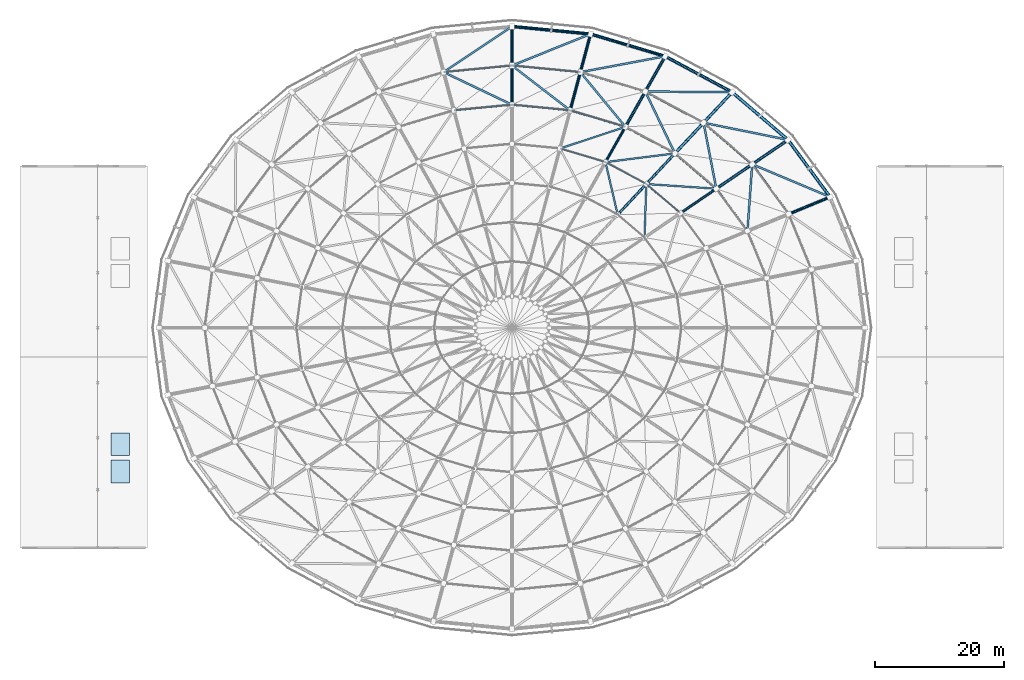
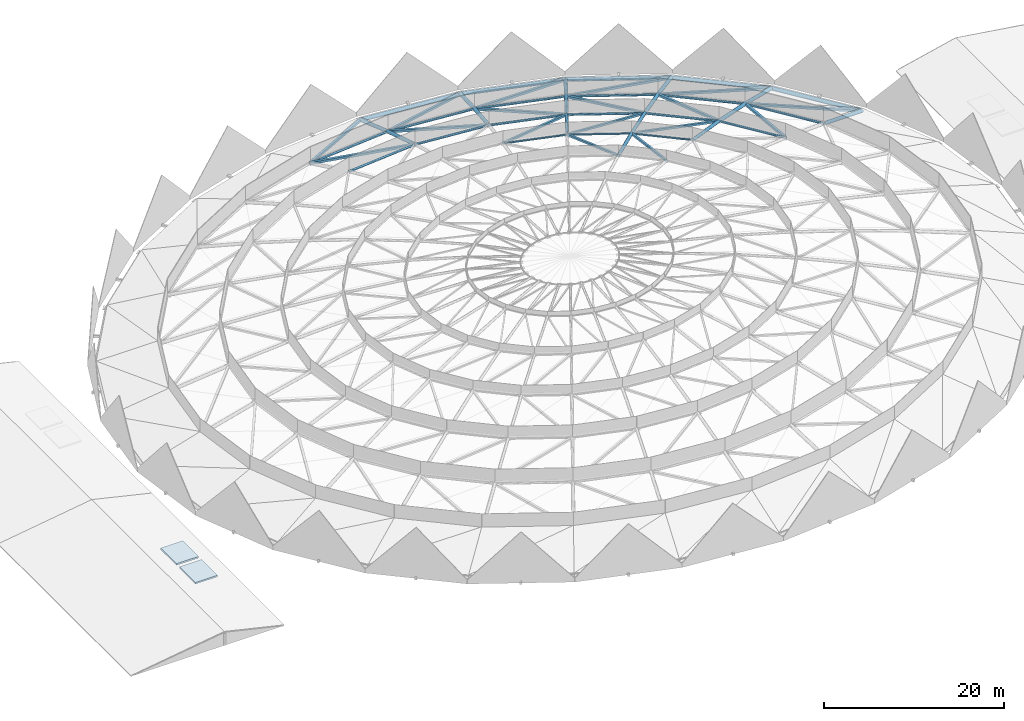
# One storey, part 15 of 27: 47 members, 5 beams, 2 slabs.
"""IFC4 building model written with IfcOpenShell, lengths in metres."""

from ifc_helpers import new_model, si_unit, direction, frame, origin, origin_2d, place, context, subcontext, project, spatial, polyline, hollow_rectangle, hollow_circle, outline, extrude, material, layer, layer_set, material_profile, profile_set, type_object, element, save


model = new_model("IFC4")

# Units and contexts
model_context = context("Model", 3, precision=1e-05, world=origin(), true_north=direction((0.0, 1.0)))
body_context = subcontext(model_context, "Body", "Model", "MODEL_VIEW")
ifc_project = project(units=[si_unit("LENGTHUNIT", "METRE"), si_unit("AREAUNIT", "SQUARE_METRE"), si_unit("VOLUMEUNIT", "CUBIC_METRE"), si_unit("PLANEANGLEUNIT", "RADIAN"), si_unit("MASSUNIT", "GRAM", prefix="KILO")], contexts=[model_context])

# Site, building, storey
site_placement = place(None, origin())
site = spatial("IfcSite", under=ifc_project, at=site_placement, CompositionType="ELEMENT")
building_placement = place(site_placement, origin())
building = spatial("IfcBuilding", under=site, at=building_placement, Name="Cuetzalor Civic Arena", CompositionType="ELEMENT")
storey_placement = place(building_placement, frame((0.0, 0.0, 31.800048828125)))
storey = spatial("IfcBuildingStorey", under=building, at=storey_placement, Name="Roof", CompositionType="ELEMENT", Elevation=31.800048828125)

# Members
ifc_material_1 = material(Name="Steel S355J2H", Category="steel")
ifc_material_profile_1 = material_profile(ifc_material_1, hollow_circle(Radius=0.136474609375, WallThickness=0.010009765625, at=origin_2d()), Name="CHS 273x10")
ifc_profile_set_1 = profile_set([ifc_material_profile_1], Name="Steel S355J2H")
member_type_1 = type_object("IfcMemberType", Name="DomeAnnularChord_CHS273", PredefinedType="CHORD", material=ifc_profile_set_1)
member_1_placement = place(storey_placement, frame((26.014404296875, 17.70556640625, 5.66650390625), z_axis=(-0.760693610766, 0.649111108009, 0.0), x_axis=(-0.649111108009, -0.760693610766, 0.0)))
element("IfcMember", 1, at=member_1_placement, inside=storey, type_object=member_type_1, Name="Dome Roof Truss Annular Ring Chord R3-S04", PredefinedType="CHORD", context=body_context, shape_type="SweptSolid", body=[
    extrude(hollow_circle(Radius=0.136474609375, WallThickness=0.010009765625, at=origin_2d()), origin(), (0.0, 0.0, 1.0), 6.9228515625),
])
member_2_placement = place(storey_placement, frame((20.7451171875, 22.201416015625, 5.66650390625), z_axis=(-0.881301350206, 0.472554684799, 0.0), x_axis=(-0.472554684799, -0.881301350206, 0.0)))
element("IfcMember", 2, at=member_2_placement, inside=storey, type_object=member_type_1, Name="Dome Roof Truss Annular Ring Chord R3-S05", PredefinedType="CHORD", context=body_context, shape_type="SweptSolid", body=[
    extrude(hollow_circle(Radius=0.136474609375, WallThickness=0.010009765625, at=origin_2d()), origin(), (0.0, 0.0, 1.0), 7.155029296875),
])
member_3_placement = place(storey_placement, frame((14.435791015625, 25.583984375, 5.66650390625), z_axis=(-0.95818823999, 0.286138597091, 0.0), x_axis=(-0.286138597091, -0.95818823999, 0.0)))
element("IfcMember", 3, at=member_3_placement, inside=storey, type_object=member_type_1, Name="Dome Roof Truss Annular Ring Chord R3-S06", PredefinedType="CHORD", context=body_context, shape_type="SweptSolid", body=[
    extrude(hollow_circle(Radius=0.136474609375, WallThickness=0.010009765625, at=origin_2d()), origin(), (0.0, 0.0, 1.0), 7.3359375),
])
ifc_material_2 = material(Name="Steel S355J2H", Category="steel")
ifc_material_profile_2 = material_profile(ifc_material_2, hollow_circle(Radius=0.161865234375, WallThickness=0.012451171875, at=origin_2d()), Name="CHS 323.9x12.5")
ifc_profile_set_2 = profile_set([ifc_material_profile_2], Name="Steel S355J2H")
member_type_2 = type_object("IfcMemberType", Name="DomeAnnularChord_CHS323", PredefinedType="CHORD", material=ifc_profile_set_2)
member_4_placement = place(storey_placement, frame((42.75732421875, 17.5732421875, 2.11083984375), z_axis=(-0.59292378617, 0.805258581943, 0.0), x_axis=(-0.805258581943, -0.59292378617, 0.0)))
element("IfcMember", 4, at=member_4_placement, inside=storey, type_object=member_type_2, Name="Dome Roof Truss Annular Ring Chord R1-S03", PredefinedType="CHORD", context=body_context, shape_type="SweptSolid", body=[
    extrude(hollow_circle(Radius=0.161865234375, WallThickness=0.012451171875, at=origin_2d()), origin(), (0.0, 0.0, 1.0), 9.53173828125),
])
member_5_placement = place(storey_placement, frame((37.10302734375, 25.251708984375, 2.11083984375), z_axis=(-0.760691040158, 0.649114120493, 0.0), x_axis=(-0.649114120493, -0.760691040158, 0.0)))
element("IfcMember", 5, at=member_5_placement, inside=storey, type_object=member_type_2, Name="Dome Roof Truss Annular Ring Chord R1-S04", PredefinedType="CHORD", context=body_context, shape_type="SweptSolid", body=[
    extrude(hollow_circle(Radius=0.161865234375, WallThickness=0.012451171875, at=origin_2d()), origin(), (0.0, 0.0, 1.0), 9.874755859375),
])
member_6_placement = place(storey_placement, frame((29.588134765625, 31.663818359375, 2.11083984375), z_axis=(-0.881293921097, 0.472568539619, 0.0), x_axis=(-0.472568539619, -0.881293921097, 0.0)))
element("IfcMember", 6, at=member_6_placement, inside=storey, type_object=member_type_2, Name="Dome Roof Truss Annular Ring Chord R1-S05", PredefinedType="CHORD", context=body_context, shape_type="SweptSolid", body=[
    extrude(hollow_circle(Radius=0.161865234375, WallThickness=0.012451171875, at=origin_2d()), origin(), (0.0, 0.0, 1.0), 10.20654296875),
])
member_7_placement = place(storey_placement, frame((20.589599609375, 36.488525390625, 2.11083984375), z_axis=(-0.958199827791, 0.286099790319, 0.0), x_axis=(-0.286099790319, -0.958199827791, 0.0)))
element("IfcMember", 7, at=member_7_placement, inside=storey, type_object=member_type_2, Name="Dome Roof Truss Annular Ring Chord R1-S06", PredefinedType="CHORD", context=body_context, shape_type="SweptSolid", body=[
    extrude(hollow_circle(Radius=0.161865234375, WallThickness=0.012451171875, at=origin_2d()), origin(), (0.0, 0.0, 1.0), 10.464599609375),
])
for number, where, z_axis, x_axis, name in (
    (8, (10.55859375, 39.4833984375, 2.11083984375), (-0.995410547373, 0.095696615297, 0.0), (-0.095696615297, -0.995410547373, 0.0), "Dome Roof Truss Annular Ring Chord R1-S07"),
    (9, (-0.001953125, 40.498291015625, 2.11083984375), (-0.995410547373, -0.095696615297, 0.0), (0.095696615297, -0.995410547373, 0.0), "Dome Roof Truss Annular Ring Chord R1-S08"),
):
    element("IfcMember", number, at=place(storey_placement, frame(where, z_axis=z_axis, x_axis=x_axis)), inside=storey, type_object=member_type_2, Name=name, PredefinedType="CHORD", context=body_context, shape_type="SweptSolid", body=[
        extrude(hollow_circle(Radius=0.161865234375, WallThickness=0.012451171875, at=origin_2d()), origin(), (0.0, 0.0, 1.0), 10.605224609375),
    ])
member_8_placement = place(storey_placement, frame((36.3681640625, 14.947509765625, 4.004638671875), z_axis=(-0.592922674984, 0.805259400125, 0.0), x_axis=(-0.805259400125, -0.592922674984, 0.0)))
element("IfcMember", 10, at=member_8_placement, inside=storey, type_object=member_type_2, Name="Dome Roof Truss Annular Ring Chord R2-S03", PredefinedType="CHORD", context=body_context, shape_type="SweptSolid", body=[
    extrude(hollow_circle(Radius=0.161865234375, WallThickness=0.012451171875, at=origin_2d()), origin(), (0.0, 0.0, 1.0), 8.107177734375),
])
member_9_placement = place(storey_placement, frame((31.55859375, 21.478759765625, 4.004638671875), z_axis=(-0.760687028115, 0.649118822141, 0.0), x_axis=(-0.649118822141, -0.760687028115, 0.0)))
element("IfcMember", 11, at=member_9_placement, inside=storey, type_object=member_type_2, Name="Dome Roof Truss Annular Ring Chord R2-S04", PredefinedType="CHORD", context=body_context, shape_type="SweptSolid", body=[
    extrude(hollow_circle(Radius=0.161865234375, WallThickness=0.012451171875, at=origin_2d()), origin(), (0.0, 0.0, 1.0), 8.3984375),
])
member_10_placement = place(storey_placement, frame((25.16650390625, 26.9326171875, 4.004638671875), z_axis=(-0.881287985767, 0.47257960826, 0.0), x_axis=(-0.47257960826, -0.881287985767, 0.0)))
element("IfcMember", 12, at=member_10_placement, inside=storey, type_object=member_type_2, Name="Dome Roof Truss Annular Ring Chord R2-S05", PredefinedType="CHORD", context=body_context, shape_type="SweptSolid", body=[
    extrude(hollow_circle(Radius=0.161865234375, WallThickness=0.012451171875, at=origin_2d()), origin(), (0.0, 0.0, 1.0), 8.6806640625),
])
member_11_placement = place(storey_placement, frame((17.5126953125, 31.036376953125, 4.004638671875), z_axis=(-0.958199935084, 0.286099430978, 0.0), x_axis=(-0.286099430978, -0.958199935084, 0.0)))
element("IfcMember", 13, at=member_11_placement, inside=storey, type_object=member_type_2, Name="Dome Roof Truss Annular Ring Chord R2-S06", PredefinedType="CHORD", context=body_context, shape_type="SweptSolid", body=[
    extrude(hollow_circle(Radius=0.161865234375, WallThickness=0.012451171875, at=origin_2d()), origin(), (0.0, 0.0, 1.0), 8.900390625),
])
for number, where, z_axis, x_axis, name in (
    (14, (8.98046875, 33.58349609375, 4.004638671875), (-0.995409425821, 0.095708280664, 0.0), (-0.095708280664, -0.995409425821, 0.0), "Dome Roof Truss Annular Ring Chord R2-S07"),
    (15, (-0.001953125, 34.44677734375, 4.004638671875), (-0.995409425821, -0.095708280664, 0.0), (0.095708280664, -0.995409425821, 0.0), "Dome Roof Truss Annular Ring Chord R2-S08"),
):
    element("IfcMember", number, at=place(storey_placement, frame(where, z_axis=z_axis, x_axis=x_axis)), inside=storey, type_object=member_type_2, Name=name, PredefinedType="CHORD", context=body_context, shape_type="SweptSolid", body=[
        extrude(hollow_circle(Radius=0.161865234375, WallThickness=0.012451171875, at=origin_2d()), origin(), (0.0, 0.0, 1.0), 9.02001953125),
    ])
ifc_material_3 = material(Name="Steel S355J2H", Category="steel")
ifc_material_profile_3 = material_profile(ifc_material_3, hollow_rectangle(XDim=0.260009765625, YDim=0.260009765625, WallThickness=0.012451171875, at=origin_2d()), Name="RHS 260x260x12.5")
ifc_profile_set_3 = profile_set([ifc_material_profile_3], Name="Steel S355J2H")
member_type_3 = type_object("IfcMemberType", Name="DomeLamellaStrut_RHS260", PredefinedType="STRUT", material=ifc_profile_set_3)
member_12_placement = place(storey_placement, frame((31.55810546875, 21.4775390625, 4.0048828125), z_axis=(-0.986241342427, 0.065957326142, 0.151583790745), x_axis=(-0.066728412223, -0.997771175672, 0.0)))
element("IfcMember", 16, at=member_12_placement, inside=storey, type_object=member_type_3, Name="Dome Roof Truss Lamella Strut R3-S04", PredefinedType="STRUT", context=body_context, shape_type="SweptSolid", body=[
    extrude(hollow_rectangle(XDim=0.260009765625, YDim=0.260009765625, WallThickness=0.012451171875, at=origin_2d()), origin(), (0.0, 0.0, 1.0), 10.960205078125),
])
member_13_placement = place(storey_placement, frame((25.16650390625, 26.931396484375, 4.0048828125), z_axis=(-0.980688138295, -0.123208196358, 0.151889814532), x_axis=(0.124654508731, -0.992200208352, 0.0)))
element("IfcMember", 17, at=member_13_placement, inside=storey, type_object=member_type_3, Name="Dome Roof Truss Lamella Strut R3-S05", PredefinedType="STRUT", context=body_context, shape_type="SweptSolid", body=[
    extrude(hollow_rectangle(XDim=0.260009765625, YDim=0.260009765625, WallThickness=0.012451171875, at=origin_2d()), origin(), (0.0, 0.0, 1.0), 10.93798828125),
])
member_14_placement = place(storey_placement, frame((17.5126953125, 31.03515625, 4.0048828125), z_axis=(-0.937831358435, -0.310971692859, 0.154171817711), x_axis=(0.314734643583, -0.949179700651, 0.0)))
element("IfcMember", 18, at=member_14_placement, inside=storey, type_object=member_type_3, Name="Dome Roof Truss Lamella Strut R3-S06", PredefinedType="STRUT", context=body_context, shape_type="SweptSolid", body=[
    extrude(hollow_rectangle(XDim=0.260009765625, YDim=0.260009765625, WallThickness=0.012451171875, at=origin_2d()), origin(), (0.0, 0.0, 1.0), 10.776123046875),
])
member_15_placement = place(storey_placement, frame((20.746826171875, 22.198486328125, 5.666748046875), z_axis=(-0.03279799518, -0.985220345021, 0.168122465091), x_axis=(0.999446347752, -0.033271578954, 0.0)))
element("IfcMember", 19, at=member_15_placement, inside=storey, type_object=member_type_3, Name="Dome Roof Truss Lamella Strut R4-S05", PredefinedType="STRUT", context=body_context, shape_type="SweptSolid", body=[
    extrude(hollow_rectangle(XDim=0.260009765625, YDim=0.260009765625, WallThickness=0.012451171875, at=origin_2d()), origin(), (0.0, 0.0, 1.0), 8.38916015625),
])
member_16_placement = place(storey_placement, frame((14.43798828125, 25.58154296875, 5.666748046875), z_axis=(0.223453803012, -0.960302113334, 0.166997751617), x_axis=(0.973979437331, 0.226636395261, 0.0)))
element("IfcMember", 20, at=member_16_placement, inside=storey, type_object=member_type_3, Name="Dome Roof Truss Lamella Strut R4-S06", PredefinedType="STRUT", context=body_context, shape_type="SweptSolid", body=[
    extrude(hollow_rectangle(XDim=0.260009765625, YDim=0.260009765625, WallThickness=0.012451171875, at=origin_2d()), origin(), (0.0, 0.0, 1.0), 8.445556640625),
])
ifc_material_4 = material(Name="Steel S355J2H", Category="steel")
ifc_material_profile_4 = material_profile(ifc_material_4, hollow_rectangle(XDim=0.300048828125, YDim=0.300048828125, WallThickness=0.013916015625, at=origin_2d()), Name="RHS 300x300x14")
ifc_profile_set_4 = profile_set([ifc_material_profile_4], Name="Steel S355J2H")
member_type_4 = type_object("IfcMemberType", Name="DomeLamellaStrut_RHS300", PredefinedType="STRUT", material=ifc_profile_set_4)
member_17_placement = place(storey_placement, frame((49.14599609375, 20.197998046875, 0.000244140625), z_axis=(-0.910310138348, 0.381937079439, 0.159560394117), x_axis=(-0.386893898761, -0.922124238431, 0.0)))
element("IfcMember", 21, at=member_17_placement, inside=storey, type_object=member_type_4, Name="Dome Roof Truss Lamella Strut R1-S03", PredefinedType="STRUT", context=body_context, shape_type="SweptSolid", body=[
    extrude(hollow_rectangle(XDim=0.300048828125, YDim=0.300048828125, WallThickness=0.013916015625, at=origin_2d()), origin(), (0.0, 0.0, 1.0), 13.22607421875),
])
member_18_placement = place(storey_placement, frame((42.64697265625, 29.02392578125, 0.000244140625), z_axis=(-0.968102960583, 0.195669985376, 0.156492538267), x_axis=(-0.198110881625, -0.980179615469, 0.0)))
element("IfcMember", 22, at=member_18_placement, inside=storey, type_object=member_type_4, Name="Dome Roof Truss Lamella Strut R1-S04", PredefinedType="STRUT", context=body_context, shape_type="SweptSolid", body=[
    extrude(hollow_rectangle(XDim=0.300048828125, YDim=0.300048828125, WallThickness=0.013916015625, at=origin_2d()), origin(), (0.0, 0.0, 1.0), 13.4853515625),
])
member_19_placement = place(storey_placement, frame((34.009521484375, 36.394287109375, 0.000244140625), z_axis=(-0.987829755365, 0.006884895842, 0.155386526521), x_axis=(-0.00696954975, -0.999975712393, 0.0)))
element("IfcMember", 23, at=member_19_placement, inside=storey, type_object=member_type_4, Name="Dome Roof Truss Lamella Strut R1-S05", PredefinedType="STRUT", context=body_context, shape_type="SweptSolid", body=[
    extrude(hollow_rectangle(XDim=0.300048828125, YDim=0.300048828125, WallThickness=0.013916015625, at=origin_2d()), origin(), (0.0, 0.0, 1.0), 13.581298828125),
])
member_20_placement = place(storey_placement, frame((23.66650390625, 41.939697265625, 0.000244140625), z_axis=(-0.970795056083, -0.181972073243, 0.156342968006), x_axis=(0.184237675637, -0.982881721712, 0.0)))
element("IfcMember", 24, at=member_20_placement, inside=storey, type_object=member_type_4, Name="Dome Roof Truss Lamella Strut R1-S06", PredefinedType="STRUT", context=body_context, shape_type="SweptSolid", body=[
    extrude(hollow_rectangle(XDim=0.300048828125, YDim=0.300048828125, WallThickness=0.013916015625, at=origin_2d()), origin(), (0.0, 0.0, 1.0), 13.498291015625),
])
member_21_placement = place(storey_placement, frame((12.13671875, 45.382080078125, 0.000244140625), z_axis=(-0.915872216599, -0.368523173362, 0.159275715527), x_axis=(0.37328852252, -0.927715300593, 0.0)))
element("IfcMember", 25, at=member_21_placement, inside=storey, type_object=member_type_4, Name="Dome Roof Truss Lamella Strut R1-S07", PredefinedType="STRUT", context=body_context, shape_type="SweptSolid", body=[
    extrude(hollow_rectangle(XDim=0.300048828125, YDim=0.300048828125, WallThickness=0.013916015625, at=origin_2d()), origin(), (0.0, 0.0, 1.0), 13.249755859375),
])
member_22_placement = place(storey_placement, frame((-0.001708984375, 46.548828125, 0.000244140625), z_axis=(-0.819845373045, -0.548630164187, 0.163885652944), x_axis=(0.556149673561, -0.831082150331, 0.0)))
element("IfcMember", 26, at=member_22_placement, inside=storey, type_object=member_type_4, Name="Dome Roof Truss Lamella Strut R1-S08", PredefinedType="STRUT", context=body_context, shape_type="SweptSolid", body=[
    extrude(hollow_rectangle(XDim=0.300048828125, YDim=0.300048828125, WallThickness=0.013916015625, at=origin_2d()), origin(), (0.0, 0.0, 1.0), 12.876953125),
])
member_23_placement = place(storey_placement, frame((37.1044921875, 25.248291015625, 2.111328125), z_axis=(-0.070020013724, -0.981117362673, 0.180293977549), x_axis=(0.997463018393, -0.071186564313, 0.0)))
element("IfcMember", 27, at=member_23_placement, inside=storey, type_object=member_type_4, Name="Dome Roof Truss Lamella Strut R2-S04", PredefinedType="STRUT", context=body_context, shape_type="SweptSolid", body=[
    extrude(hollow_rectangle(XDim=0.300048828125, YDim=0.300048828125, WallThickness=0.013916015625, at=origin_2d()), origin(), (0.0, 0.0, 1.0), 10.49853515625),
])
member_24_placement = place(storey_placement, frame((29.59033203125, 31.6611328125, 2.111328125), z_axis=(0.186823598894, -0.965845815284, 0.179551675), x_axis=(0.9818015204, 0.189909911643, 0.0)))
element("IfcMember", 28, at=member_24_placement, inside=storey, type_object=member_type_4, Name="Dome Roof Truss Lamella Strut R2-S05", PredefinedType="STRUT", context=body_context, shape_type="SweptSolid", body=[
    extrude(hollow_rectangle(XDim=0.300048828125, YDim=0.300048828125, WallThickness=0.013916015625, at=origin_2d()), origin(), (0.0, 0.0, 1.0), 10.5419921875),
])
member_25_placement = place(storey_placement, frame((20.59228515625, 36.486083984375, 2.111328125), z_axis=(0.425226690793, -0.887825225756, 0.175922226986), x_axis=(0.901891056913, 0.431963564969, 0.0)))
element("IfcMember", 29, at=member_25_placement, inside=storey, type_object=member_type_4, Name="Dome Roof Truss Lamella Strut R2-S06", PredefinedType="STRUT", context=body_context, shape_type="SweptSolid", body=[
    extrude(hollow_rectangle(XDim=0.300048828125, YDim=0.300048828125, WallThickness=0.013916015625, at=origin_2d()), origin(), (0.0, 0.0, 1.0), 10.759521484375),
])
member_26_placement = place(storey_placement, frame((10.561767578125, 39.481689453125, 2.111328125), z_axis=(0.626236369172, -0.760751932472, 0.170541804747), x_axis=(0.772062304259, 0.635546849841, 0.0)))
element("IfcMember", 30, at=member_26_placement, inside=storey, type_object=member_type_4, Name="Dome Roof Truss Lamella Strut R2-S07", PredefinedType="STRUT", context=body_context, shape_type="SweptSolid", body=[
    extrude(hollow_rectangle(XDim=0.300048828125, YDim=0.300048828125, WallThickness=0.013916015625, at=origin_2d()), origin(), (0.0, 0.0, 1.0), 11.100341796875),
])
member_27_placement = place(storey_placement, frame((0.001708984375, 40.497314453125, 2.111328125), z_axis=(0.781549213243, -0.601690257293, 0.16477154353), x_axis=(0.61002827083, 0.792379649403, 0.0)))
element("IfcMember", 31, at=member_27_placement, inside=storey, type_object=member_type_4, Name="Dome Roof Truss Lamella Strut R2-S08", PredefinedType="STRUT", context=body_context, shape_type="SweptSolid", body=[
    extrude(hollow_rectangle(XDim=0.300048828125, YDim=0.300048828125, WallThickness=0.013916015625, at=origin_2d()), origin(), (0.0, 0.0, 1.0), 11.489013671875),
])
member_28_placement = place(storey_placement, frame((-10.55859375, 39.482421875, 2.111328125), z_axis=(0.89101310831, -0.424931715723, 0.159776962647), x_axis=(0.430461798092, 0.902608796979, 0.0)))
element("IfcMember", 32, at=member_28_placement, inside=storey, type_object=member_type_4, Name="Dome Roof Truss Lamella Strut R2-S09", PredefinedType="STRUT", context=body_context, shape_type="SweptSolid", body=[
    extrude(hollow_rectangle(XDim=0.300048828125, YDim=0.300048828125, WallThickness=0.013916015625, at=origin_2d()), origin(), (0.0, 0.0, 1.0), 11.84814453125),
])
ifc_material_5 = material(Name="Steel S355J2H", Category="steel")
ifc_material_profile_5 = material_profile(ifc_material_5, hollow_circle(Radius=0.202880859375, WallThickness=0.01611328125, at=origin_2d()), Name="CHS 406x16")
ifc_profile_set_5 = profile_set([ifc_material_profile_5], Name="Steel S355J2H")
member_type_5 = type_object("IfcMemberType", Name="DomeRadialChord_CHS406", PredefinedType="CHORD", material=ifc_profile_set_5)
member_29_placement = place(storey_placement, frame((31.55859375, 21.476318359375, 4.005126953125), z_axis=(-0.802453342906, -0.546093947858, 0.240520337128), x_axis=(0.562609867277, -0.826722527359, 0.0)))
element("IfcMember", 33, at=member_29_placement, inside=storey, type_object=member_type_5, Name="Dome Roof Truss Radial Chord R3-S04", PredefinedType="CHORD", context=body_context, shape_type="SweptSolid", body=[
    extrude(hollow_circle(Radius=0.202880859375, WallThickness=0.01611328125, at=origin_2d()), origin(), (0.0, 0.0, 1.0), 6.905517578125),
])
member_30_placement = place(storey_placement, frame((25.1669921875, 26.930419921875, 4.005126953125), z_axis=(-0.661334530515, -0.707703585116, 0.248580518873), x_axis=(0.730637390049, -0.682765702318, 0.0)))
element("IfcMember", 34, at=member_30_placement, inside=storey, type_object=member_type_5, Name="Dome Roof Truss Radial Chord R3-S05", PredefinedType="CHORD", context=body_context, shape_type="SweptSolid", body=[
    extrude(hollow_circle(Radius=0.202880859375, WallThickness=0.01611328125, at=origin_2d()), origin(), (0.0, 0.0, 1.0), 6.681396484375),
])
member_31_placement = place(storey_placement, frame((17.513671875, 31.033935546875, 4.005126953125), z_axis=(-0.475026733206, -0.841734547971, 0.256578552283), x_axis=(0.870888965852, -0.491479815615, 0.0)))
element("IfcMember", 35, at=member_31_placement, inside=storey, type_object=member_type_5, Name="Dome Roof Truss Radial Chord R3-S06", PredefinedType="CHORD", context=body_context, shape_type="SweptSolid", body=[
    extrude(hollow_circle(Radius=0.202880859375, WallThickness=0.01611328125, at=origin_2d()), origin(), (0.0, 0.0, 1.0), 6.47314453125),
])
member_32_placement = place(storey_placement, frame((20.74560546875, 22.19921875, 5.666748046875), z_axis=(-0.667112883758, -0.713887083961, 0.212898172086), x_axis=(0.730637390049, -0.682765702318, 0.0)))
element("IfcMember", 36, at=member_32_placement, inside=storey, type_object=member_type_5, Name="Dome Roof Truss Radial Chord R4-S05", PredefinedType="CHORD", context=body_context, shape_type="SweptSolid", body=[
    extrude(hollow_circle(Radius=0.202880859375, WallThickness=0.01611328125, at=origin_2d()), origin(), (0.0, 0.0, 1.0), 6.62353515625),
])
ifc_material_6 = material(Name="Steel S355J2H", Category="steel")
ifc_material_profile_6 = material_profile(ifc_material_6, hollow_circle(Radius=0.228515625, WallThickness=0.01611328125, at=origin_2d()), Name="CHS 457x16")
ifc_profile_set_6 = profile_set([ifc_material_profile_6], Name="Steel S355J2H")
member_type_6 = type_object("IfcMemberType", Name="DomeRadialChord_CHS457", PredefinedType="CHORD", material=ifc_profile_set_6)
member_33_placement = place(storey_placement, frame((49.14599609375, 20.196533203125, 0.00048828125), z_axis=(-0.884549624943, -0.363526053088, 0.292268318056), x_axis=(0.38012363529, -0.924935685274, 0.0)))
element("IfcMember", 37, at=member_33_placement, inside=storey, type_object=member_type_6, Name="Dome Roof Truss Radial Chord R1-S03", PredefinedType="CHORD", context=body_context, shape_type="SweptSolid", body=[
    extrude(hollow_circle(Radius=0.228515625, WallThickness=0.01611328125, at=origin_2d()), origin(), (0.0, 0.0, 1.0), 7.218994140625),
])
member_34_placement = place(storey_placement, frame((42.647216796875, 29.0224609375, 0.00048828125), z_axis=(-0.788563642301, -0.536665228189, 0.300262909621), x_axis=(0.562626809425, -0.826710997457, 0.0)))
element("IfcMember", 38, at=member_34_placement, inside=storey, type_object=member_type_6, Name="Dome Roof Truss Radial Chord R1-S04", PredefinedType="CHORD", context=body_context, shape_type="SweptSolid", body=[
    extrude(hollow_circle(Radius=0.228515625, WallThickness=0.01611328125, at=origin_2d()), origin(), (0.0, 0.0, 1.0), 7.026611328125),
])
member_35_placement = place(storey_placement, frame((34.010009765625, 36.392822265625, 0.00048828125), z_axis=(-0.649140383571, -0.694654453229, 0.309954759645), x_axis=(0.730637390049, -0.682765702318, 0.0)))
element("IfcMember", 39, at=member_35_placement, inside=storey, type_object=member_type_6, Name="Dome Roof Truss Radial Chord R1-S05", PredefinedType="CHORD", context=body_context, shape_type="SweptSolid", body=[
    extrude(hollow_circle(Radius=0.228515625, WallThickness=0.01611328125, at=origin_2d()), origin(), (0.0, 0.0, 1.0), 6.806884765625),
])
member_36_placement = place(storey_placement, frame((23.66748046875, 41.9384765625, 0.00048828125), z_axis=(-0.465726644765, -0.825226499247, 0.319530776759), x_axis=(0.870881689669, -0.491492708592, 0.0)))
element("IfcMember", 40, at=member_36_placement, inside=storey, type_object=member_type_6, Name="Dome Roof Truss Radial Chord R1-S06", PredefinedType="CHORD", context=body_context, shape_type="SweptSolid", body=[
    extrude(hollow_circle(Radius=0.228515625, WallThickness=0.01611328125, at=origin_2d()), origin(), (0.0, 0.0, 1.0), 6.60302734375),
])
member_37_placement = place(storey_placement, frame((12.137939453125, 45.381103515625, 0.000732421875), z_axis=(-0.244187197443, -0.913046138016, 0.326679296037), x_axis=(0.96604812875, -0.258362173972, 0.0)))
element("IfcMember", 41, at=member_37_placement, inside=storey, type_object=member_type_6, Name="Dome Roof Truss Radial Chord R1-S07", PredefinedType="CHORD", context=body_context, shape_type="SweptSolid", body=[
    extrude(hollow_circle(Radius=0.228515625, WallThickness=0.01611328125, at=origin_2d()), origin(), (0.0, 0.0, 1.0), 6.457763671875),
])
member_38_placement = place(storey_placement, frame((0.0, 46.548095703125, 0.000732421875), z_axis=(0.0, -0.944200732802, 0.32937057576), x_axis=(1.0, 0.0, 0.0)))
element("IfcMember", 42, at=member_38_placement, inside=storey, type_object=member_type_6, Name="Dome Roof Truss Radial Chord R1-S08", PredefinedType="CHORD", context=body_context, shape_type="SweptSolid", body=[
    extrude(hollow_circle(Radius=0.228515625, WallThickness=0.01611328125, at=origin_2d()), origin(), (0.0, 0.0, 1.0), 6.405029296875),
])
member_39_placement = place(storey_placement, frame((37.102783203125, 25.249267578125, 2.111572265625), z_axis=(-0.795616601594, -0.541430137981, 0.271749202307), x_axis=(0.562601913678, -0.826727939969, 0.0)))
element("IfcMember", 43, at=member_39_placement, inside=storey, type_object=member_type_6, Name="Dome Roof Truss Radial Chord R2-S04", PredefinedType="CHORD", context=body_context, shape_type="SweptSolid", body=[
    extrude(hollow_circle(Radius=0.228515625, WallThickness=0.01611328125, at=origin_2d()), origin(), (0.0, 0.0, 1.0), 6.96435546875),
])
member_40_placement = place(storey_placement, frame((29.588623046875, 31.66162109375, 2.111572265625), z_axis=(-0.655340043808, -0.701250053507, 0.280673813238), x_axis=(0.730618571509, -0.682785839752, 0.0)))
element("IfcMember", 44, at=member_40_placement, inside=storey, type_object=member_type_6, Name="Dome Roof Truss Radial Chord R2-S05", PredefinedType="CHORD", context=body_context, shape_type="SweptSolid", body=[
    extrude(hollow_circle(Radius=0.228515625, WallThickness=0.01611328125, at=origin_2d()), origin(), (0.0, 0.0, 1.0), 6.742919921875),
])
member_41_placement = place(storey_placement, frame((20.590576171875, 36.486083984375, 2.111572265625), z_axis=(-0.47045681721, -0.833570597531, 0.289534871945), x_axis=(0.870872263381, -0.491509410769, 0.0)))
element("IfcMember", 45, at=member_41_placement, inside=storey, type_object=member_type_6, Name="Dome Roof Truss Radial Chord R2-S06", PredefinedType="CHORD", context=body_context, shape_type="SweptSolid", body=[
    extrude(hollow_circle(Radius=0.228515625, WallThickness=0.01611328125, at=origin_2d()), origin(), (0.0, 0.0, 1.0), 6.53662109375),
])
member_42_placement = place(storey_placement, frame((10.56005859375, 39.481201171875, 2.111572265625), z_axis=(-0.246815336475, -0.922692008647, 0.29617840377), x_axis=(0.966035473474, -0.258409488971, 0.0)))
element("IfcMember", 46, at=member_42_placement, inside=storey, type_object=member_type_6, Name="Dome Roof Truss Radial Chord R2-S07", PredefinedType="CHORD", context=body_context, shape_type="SweptSolid", body=[
    extrude(hollow_circle(Radius=0.228515625, WallThickness=0.01611328125, at=origin_2d()), origin(), (0.0, 0.0, 1.0), 6.389892578125),
])
member_43_placement = place(storey_placement, frame((0.0, 40.49658203125, 2.111572265625), z_axis=(0.0, -0.954358558778, 0.298663257343), x_axis=(1.0, 0.0, 0.0)))
element("IfcMember", 47, at=member_43_placement, inside=storey, type_object=member_type_6, Name="Dome Roof Truss Radial Chord R2-S08", PredefinedType="CHORD", context=body_context, shape_type="SweptSolid", body=[
    extrude(hollow_circle(Radius=0.228515625, WallThickness=0.01611328125, at=origin_2d()), origin(), (0.0, 0.0, 1.0), 6.3369140625),
])

# Beams
ifc_material_7 = material(Name="Steel S355J2H", Category="steel")
ifc_material_profile_7 = material_profile(ifc_material_7, hollow_circle(Radius=0.25390625, WallThickness=0.02001953125, at=origin_2d()), Name="CHS 508x20")
ifc_profile_set_7 = profile_set([ifc_material_profile_7], Name="Steel S355J2H")
beam_type = type_object("IfcBeamType", Name="SteelDomeRingBeam_CHS508", PredefinedType="BEAM", material=ifc_profile_set_7)
beam_1_placement = place(storey_placement, frame((49.146728515625, 20.198974609375, 0.0), z_axis=(-0.592928418249, 0.805255171255, 0.0), x_axis=(-0.805255171255, -0.592928418249, 0.0)))
element("IfcBeam", 48, at=beam_1_placement, inside=storey, type_object=beam_type, Name="Arena Dome Perimeter Tension Ring Beam S03", PredefinedType="BEAM", context=body_context, shape_type="SweptSolid", body=[
    extrude(hollow_circle(Radius=0.25390625, WallThickness=0.02001953125, at=origin_2d()), origin(), (0.0, 0.0, 1.0), 10.956787109375),
])
beam_2_placement = place(storey_placement, frame((42.6474609375, 29.02490234375, 0.0), z_axis=(-0.760684946097, 0.649121262001, 0.0), x_axis=(-0.649121262001, -0.760684946097, 0.0)))
element("IfcBeam", 49, at=beam_2_placement, inside=storey, type_object=beam_type, Name="Arena Dome Perimeter Tension Ring Beam S04", PredefinedType="BEAM", context=body_context, shape_type="SweptSolid", body=[
    extrude(hollow_circle(Radius=0.25390625, WallThickness=0.02001953125, at=origin_2d()), origin(), (0.0, 0.0, 1.0), 11.35107421875),
])
beam_3_placement = place(storey_placement, frame((34.009521484375, 36.395263671875, 0.0), z_axis=(-0.881302332023, 0.472552853733, 0.0), x_axis=(-0.472552853733, -0.881302332023, 0.0)))
element("IfcBeam", 50, at=beam_3_placement, inside=storey, type_object=beam_type, Name="Arena Dome Perimeter Tension Ring Beam S05", PredefinedType="BEAM", context=body_context, shape_type="SweptSolid", body=[
    extrude(hollow_circle(Radius=0.25390625, WallThickness=0.02001953125, at=origin_2d()), origin(), (0.0, 0.0, 1.0), 11.73193359375),
])
beam_4_placement = place(storey_placement, frame((23.66650390625, 41.940673828125, 0.0), z_axis=(-0.958195845635, 0.286113126939, 0.0), x_axis=(-0.286113126939, -0.958195845635, 0.0)))
element("IfcBeam", 51, at=beam_4_placement, inside=storey, type_object=beam_type, Name="Arena Dome Perimeter Tension Ring Beam S06", PredefinedType="BEAM", context=body_context, shape_type="SweptSolid", body=[
    extrude(hollow_circle(Radius=0.25390625, WallThickness=0.02001953125, at=origin_2d()), origin(), (0.0, 0.0, 1.0), 12.029052734375),
])
beam_5_placement = place(storey_placement, frame((12.136474609375, 45.383056640625, 0.0), z_axis=(-0.995409285949, 0.095709735379, 0.0), x_axis=(-0.095709735379, -0.995409285949, 0.0)))
element("IfcBeam", 52, at=beam_5_placement, inside=storey, type_object=beam_type, Name="Arena Dome Perimeter Tension Ring Beam S07", PredefinedType="BEAM", context=body_context, shape_type="SweptSolid", body=[
    extrude(hollow_circle(Radius=0.25390625, WallThickness=0.02001953125, at=origin_2d()), origin(), (0.0, 0.0, 1.0), 12.1904296875),
])

# Slabs
ifc_material_8 = material(Name="Concrete C40/50", Category="concrete")
ifc_layer = layer(ifc_material_8, 0.219970703125)
ifc_layer_set = layer_set([ifc_layer], Name="Concrete C40/50")
slab_type = type_object("IfcSlabType", Name="LiftShaftRoofCapSlab_220", PredefinedType="ROOF", material=ifc_layer_set)
slab_1_placement = place(storey_placement, frame((0.0, 0.0, 1.39990234375)))
element("IfcSlab", 53, at=slab_1_placement, inside=storey, type_object=slab_type, Name="Lift Shaft Overrun Cap Slab LF-01", PredefinedType="ROOF", context=body_context, shape_type="SweptSolid", body=[
    extrude(outline(polyline([(-61.919921875, -19.77001953125), (-59.080078125, -19.77001953125), (-59.080078125, -16.22998046875), (-61.919921875, -16.22998046875), (-61.919921875, -19.77001953125)])), origin(), (0.0, 0.0, 1.0), 0.219970703125),
])
slab_2_placement = place(storey_placement, frame((0.0, 0.0, 1.39990234375)))
element("IfcSlab", 54, at=slab_2_placement, inside=storey, type_object=slab_type, Name="Lift Shaft Overrun Cap Slab LP-03", PredefinedType="ROOF", context=body_context, shape_type="SweptSolid", body=[
    extrude(outline(polyline([(-61.919921875, -23.969970703125), (-59.080078125, -23.969970703125), (-59.080078125, -20.429931640625), (-61.919921875, -20.429931640625), (-61.919921875, -23.969970703125)])), origin(), (0.0, 0.0, 1.0), 0.219970703125),
])

save(model, "model.ifc")
